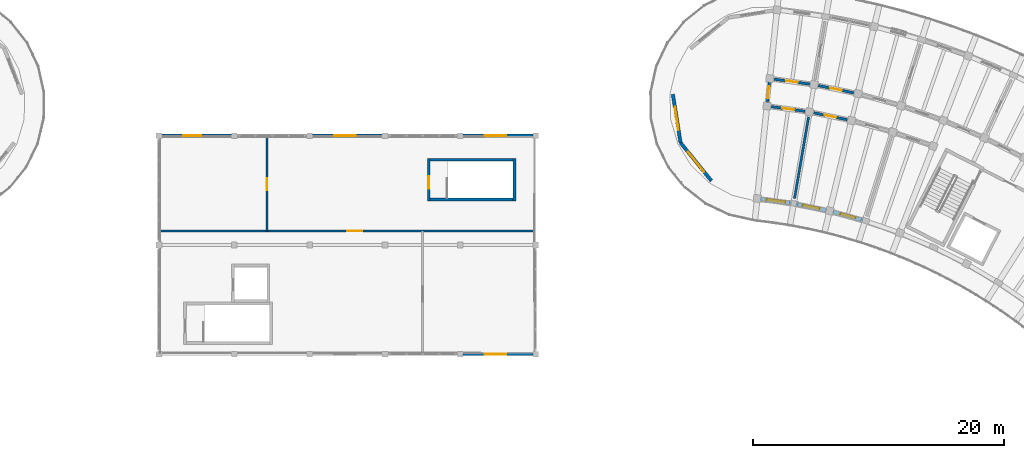
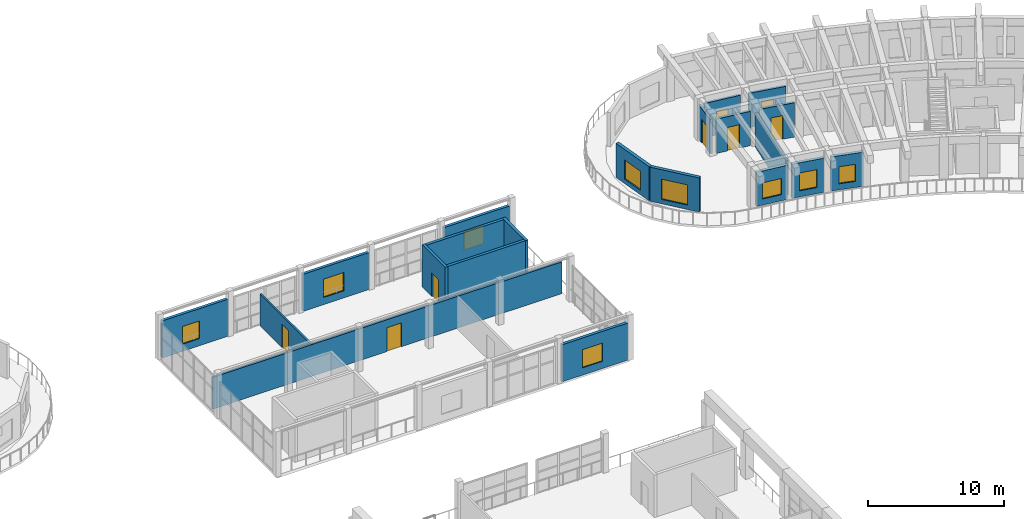
# One storey, part 92 of 128: 21 walls, 9 windows, 8 doors, 17 openings.
"""IFC4 building model written with IfcOpenShell, lengths in metres."""

from ifc_helpers import new_model, si_unit, direction, frame, frame_2d, origin, place, context, subcontext, project, spatial, rectangle, extrude, material, layer, layer_set, type_object, element, fill, save


model = new_model("IFC4")

# Units and contexts
model_context = context("Model", 3, precision=1e-05, world=origin(), true_north=direction((0.0, 1.0)))
body_context = subcontext(model_context, "Body", "Model", "MODEL_VIEW")
ifc_project = project(units=[si_unit("LENGTHUNIT", "METRE"), si_unit("AREAUNIT", "SQUARE_METRE"), si_unit("VOLUMEUNIT", "CUBIC_METRE"), si_unit("PLANEANGLEUNIT", "RADIAN"), si_unit("MASSUNIT", "GRAM", prefix="KILO")], contexts=[model_context])

# Site, building, storey
site_placement = place(None, origin())
site = spatial("IfcSite", under=ifc_project, at=site_placement, CompositionType="ELEMENT")
building_placement = place(site_placement, origin())
building = spatial("IfcBuilding", under=site, at=building_placement, Name="Tanwirah Colonnade Gardens", CompositionType="ELEMENT")
storey_placement = place(building_placement, frame((0.0, 0.0, 4.760009765625)))
storey = spatial("IfcBuildingStorey", under=building, at=storey_placement, Name="L01", CompositionType="ELEMENT", Elevation=4.760009765625)

# Wall, opening, window
ifc_material_1 = material(Name="Limestone architectural precast concrete C40/50", Category="masonry")
ifc_layer_1 = layer(ifc_material_1, 0.239990234375)
ifc_layer_set_1 = layer_set([ifc_layer_1], Name="Limestone architectural precast concrete C40/50")
wall_type_1 = type_object("IfcWallType", Name="EW-PC240", PredefinedType="SOLIDWALL", material=ifc_layer_set_1)
wall_1_placement = place(storey_placement, frame((102.195068359375, 92.0, 0.0), z_axis=(0.0, 0.0, 1.0), x_axis=(1.0, 0.0, 0.0)))
wall_1 = element("IfcWall", 1, at=wall_1_placement, inside=storey, type_object=wall_type_1, Name="Nursery L01 S Wall 4", PredefinedType="SOLIDWALL", context=body_context, shape_type="SweptSolid", body=[
    extrude(rectangle(XDim=5.60986328125, YDim=0.239990234375, at=frame_2d((2.804931640625, 0.0))), origin(), (0.0, 0.0, 1.0), 3.340087890625),
])
opening_1_placement = place(wall_1_placement, frame((1.75, 0.0, 0.64990234375)))
opening_1 = element("IfcOpeningElement", 2, at=opening_1_placement, cuts=wall_1, Name="Opening WIN-NUR2", PredefinedType="OPENING", context=body_context, shape_type="SweptSolid", body=[
    extrude(rectangle(XDim=1.719970703125, YDim=1.639892578125, at=frame_2d((0.85986328125, 0.81982421875))), frame((0.0, 0.1298828125, 0.0), z_axis=(0.0, -1.0, 0.0), x_axis=(1.0, 0.0, 0.0)), (0.0, 0.0, 1.0), 0.260009765625),
])
ifc_material_2 = material(Name="Thermally broken bronze aluminium and solar low-E double glazing", Category="aluminium")
window_type_1 = type_object("IfcWindowType", Name="WIN-NUR2", PartitioningType="DOUBLE_PANEL_VERTICAL", PredefinedType="WINDOW", material=ifc_material_2)
window_1_placement = place(opening_1_placement, origin())
window_1 = element("IfcWindow", 3, at=window_1_placement, inside=storey, type_object=window_type_1, Name="Nursery Window S-4", OverallHeight=1.639892578125, OverallWidth=1.719970703125, PartitioningType="SINGLE_PANEL", PredefinedType="WINDOW", context=body_context, shape_type="SweptSolid", body=[
    extrude(rectangle(XDim=1.719970703125, YDim=1.639892578125, at=frame_2d((0.85986328125, 0.81982421875))), frame((0.0, 0.030029296875, 0.0), z_axis=(0.0, -1.0, 0.0), x_axis=(1.0, 0.0, 0.0)), (0.0, 0.0, 1.0), 0.06005859375),
])
fill(opening_1, window_1)

wall_2_placement = place(storey_placement, frame((78.195068359375, 109.39990234375, 0.0), z_axis=(0.0, 0.0, 1.0), x_axis=(1.0, 0.0, 0.0)))
wall_2 = element("IfcWall", 4, at=wall_2_placement, inside=storey, type_object=wall_type_1, Name="Nursery L01 N Wall 0", PredefinedType="SOLIDWALL", context=body_context, shape_type="SweptSolid", body=[
    extrude(rectangle(XDim=5.60986328125, YDim=0.239990234375, at=frame_2d((2.804931640625, 0.0))), origin(), (0.0, 0.0, 1.0), 3.340087890625),
])
opening_2_placement = place(wall_2_placement, frame((1.75, 0.0, 0.64990234375)))
opening_2 = element("IfcOpeningElement", 5, at=opening_2_placement, cuts=wall_2, Name="Opening WIN-NUR1", PredefinedType="OPENING", context=body_context, shape_type="SweptSolid", body=[
    extrude(rectangle(XDim=1.419921875, YDim=1.580078125, at=frame_2d((0.7099609375, 0.7900390625))), frame((0.0, 0.1298828125, 0.0), z_axis=(0.0, -1.0, 0.0), x_axis=(1.0, 0.0, 0.0)), (0.0, 0.0, 1.0), 0.260009765625),
])
window_type_2 = type_object("IfcWindowType", Name="WIN-NUR1", PartitioningType="DOUBLE_PANEL_VERTICAL", PredefinedType="WINDOW", material=ifc_material_2)
window_2_placement = place(opening_2_placement, origin())
window_2 = element("IfcWindow", 6, at=window_2_placement, inside=storey, type_object=window_type_2, Name="Nursery Window N-0", OverallHeight=1.580078125, OverallWidth=1.419921875, PartitioningType="SINGLE_PANEL", PredefinedType="WINDOW", context=body_context, shape_type="SweptSolid", body=[
    extrude(rectangle(XDim=1.419921875, YDim=1.580078125, at=frame_2d((0.7099609375, 0.7900390625))), frame((0.0, 0.030029296875, 0.0), z_axis=(0.0, -1.0, 0.0), x_axis=(1.0, 0.0, 0.0)), (0.0, 0.0, 1.0), 0.06005859375),
])
fill(opening_2, window_2)

wall_3_placement = place(storey_placement, frame((90.195068359375, 109.39990234375, 0.0), z_axis=(0.0, 0.0, 1.0), x_axis=(1.0, 0.0, 0.0)))
wall_3 = element("IfcWall", 7, at=wall_3_placement, inside=storey, type_object=wall_type_1, Name="Nursery L01 N Wall 2", PredefinedType="SOLIDWALL", context=body_context, shape_type="SweptSolid", body=[
    extrude(rectangle(XDim=5.60986328125, YDim=0.239990234375, at=frame_2d((2.804931640625, 0.0))), origin(), (0.0, 0.0, 1.0), 3.340087890625),
])
opening_3_placement = place(wall_3_placement, frame((1.75, 0.0, 0.64990234375)))
opening_3 = element("IfcOpeningElement", 8, at=opening_3_placement, cuts=wall_3, Name="Opening WIN-NUR2", PredefinedType="OPENING", context=body_context, shape_type="SweptSolid", body=[
    extrude(rectangle(XDim=1.719970703125, YDim=1.639892578125, at=frame_2d((0.85986328125, 0.81982421875))), frame((0.0, 0.1298828125, 0.0), z_axis=(0.0, -1.0, 0.0), x_axis=(1.0, 0.0, 0.0)), (0.0, 0.0, 1.0), 0.260009765625),
])
window_3_placement = place(opening_3_placement, origin())
window_3 = element("IfcWindow", 9, at=window_3_placement, inside=storey, type_object=window_type_1, Name="Nursery Window N-2", OverallHeight=1.639892578125, OverallWidth=1.719970703125, PartitioningType="SINGLE_PANEL", PredefinedType="WINDOW", context=body_context, shape_type="SweptSolid", body=[
    extrude(rectangle(XDim=1.719970703125, YDim=1.639892578125, at=frame_2d((0.85986328125, 0.81982421875))), frame((0.0, 0.030029296875, 0.0), z_axis=(0.0, -1.0, 0.0), x_axis=(1.0, 0.0, 0.0)), (0.0, 0.0, 1.0), 0.06005859375),
])
fill(opening_3, window_3)

wall_4_placement = place(storey_placement, frame((102.195068359375, 109.39990234375, 0.0), z_axis=(0.0, 0.0, 1.0), x_axis=(1.0, 0.0, 0.0)))
wall_4 = element("IfcWall", 10, at=wall_4_placement, inside=storey, type_object=wall_type_1, Name="Nursery L01 N Wall 4", PredefinedType="SOLIDWALL", context=body_context, shape_type="SweptSolid", body=[
    extrude(rectangle(XDim=5.60986328125, YDim=0.239990234375, at=frame_2d((2.804931640625, 0.0))), origin(), (0.0, 0.0, 1.0), 3.340087890625),
])
opening_4_placement = place(wall_4_placement, frame((1.75, 0.0, 0.64990234375)))
opening_4 = element("IfcOpeningElement", 11, at=opening_4_placement, cuts=wall_4, Name="Opening WIN-NUR2", PredefinedType="OPENING", context=body_context, shape_type="SweptSolid", body=[
    extrude(rectangle(XDim=1.719970703125, YDim=1.639892578125, at=frame_2d((0.85986328125, 0.81982421875))), frame((0.0, 0.1298828125, 0.0), z_axis=(0.0, -1.0, 0.0), x_axis=(1.0, 0.0, 0.0)), (0.0, 0.0, 1.0), 0.260009765625),
])
window_4_placement = place(opening_4_placement, origin())
window_4 = element("IfcWindow", 12, at=window_4_placement, inside=storey, type_object=window_type_1, Name="Nursery Window N-4", OverallHeight=1.639892578125, OverallWidth=1.719970703125, PartitioningType="SINGLE_PANEL", PredefinedType="WINDOW", context=body_context, shape_type="SweptSolid", body=[
    extrude(rectangle(XDim=1.719970703125, YDim=1.639892578125, at=frame_2d((0.85986328125, 0.81982421875))), frame((0.0, 0.030029296875, 0.0), z_axis=(0.0, -1.0, 0.0), x_axis=(1.0, 0.0, 0.0)), (0.0, 0.0, 1.0), 0.06005859375),
])
fill(opening_4, window_4)

ifc_layer_2 = layer(ifc_material_1, 0.27001953125)
ifc_layer_set_2 = layer_set([ifc_layer_2], Name="Limestone architectural precast concrete C40/50")
wall_type_2 = type_object("IfcWallType", Name="EW-PC270", PredefinedType="SOLIDWALL", material=ifc_layer_set_2)
wall_5_placement = place(storey_placement, frame((134.069580078125, 102.679443359375, 0.0), z_axis=(0.0, 0.0, 1.0), x_axis=(-0.963904687378, 0.266247542056, 0.0)))
wall_5 = element("IfcWall", 13, at=wall_5_placement, inside=storey, type_object=wall_type_2, Name="Block B L01 IN Precast Facade Wall 15", PredefinedType="SOLIDWALL", context=body_context, shape_type="SweptSolid", body=[
    extrude(rectangle(XDim=2.48046875, YDim=0.27001953125, at=frame_2d((1.240234375, 0.0))), origin(), (0.0, 0.0, 1.0), 3.074951171875),
])
opening_5_placement = place(wall_5_placement, frame((0.6201171875, 0.0, 0.550048828125)))
opening_5 = element("IfcOpeningElement", 14, at=opening_5_placement, cuts=wall_5, Name="Opening WIN-U03", PredefinedType="OPENING", context=body_context, shape_type="SweptSolid", body=[
    extrude(rectangle(XDim=1.239990234375, YDim=1.534912109375, at=frame_2d((0.6201171875, 0.767578125))), frame((0.0, 0.14501953125, 0.0), z_axis=(0.0, -1.0, 0.0), x_axis=(1.0, 0.0, 0.0)), (0.0, 0.0, 1.0), 0.2900390625),
])
window_type_3 = type_object("IfcWindowType", Name="WIN-U03", PartitioningType="DOUBLE_PANEL_VERTICAL", PredefinedType="WINDOW", material=ifc_material_2)
window_5_placement = place(opening_5_placement, origin())
window_5 = element("IfcWindow", 15, at=window_5_placement, inside=storey, type_object=window_type_3, Name="Facade window B-L01-IN-15", OverallHeight=1.534912109375, OverallWidth=1.239990234375, PartitioningType="SINGLE_PANEL", PredefinedType="WINDOW", context=body_context, shape_type="SweptSolid", body=[
    extrude(rectangle(XDim=1.239990234375, YDim=1.534912109375, at=frame_2d((0.6201171875, 0.767578125))), frame((0.0, 0.030029296875, 0.0), z_axis=(0.0, -1.0, 0.0), x_axis=(1.0, 0.0, 0.0)), (0.0, 0.0, 1.0), 0.06005859375),
])
fill(opening_5, window_5)

wall_6_placement = place(storey_placement, frame((131.154052734375, 103.46630859375, 0.0), z_axis=(0.0, 0.0, 1.0), x_axis=(-0.979327037211, 0.202283351238, 0.0)))
wall_6 = element("IfcWall", 16, at=wall_6_placement, inside=storey, type_object=wall_type_2, Name="Block B L01 IN Precast Facade Wall 16", PredefinedType="SOLIDWALL", context=body_context, shape_type="SweptSolid", body=[
    extrude(rectangle(XDim=2.480224609375, YDim=0.27001953125, at=frame_2d((1.240234375, 0.0))), origin(), (0.0, 0.0, 1.0), 3.074951171875),
])
opening_6_placement = place(wall_6_placement, frame((0.56005859375, 0.0, 0.550048828125)))
opening_6 = element("IfcOpeningElement", 17, at=opening_6_placement, cuts=wall_6, Name="Opening WIN-U06", PredefinedType="OPENING", context=body_context, shape_type="SweptSolid", body=[
    extrude(rectangle(XDim=1.360107421875, YDim=1.610107421875, at=frame_2d((0.68017578125, 0.80517578125))), frame((0.0, 0.14501953125, 0.0), z_axis=(0.0, -1.0, 0.0), x_axis=(1.0, 0.0, 0.0)), (0.0, 0.0, 1.0), 0.2900390625),
])
window_type_4 = type_object("IfcWindowType", Name="WIN-U06", PartitioningType="DOUBLE_PANEL_VERTICAL", PredefinedType="WINDOW", material=ifc_material_2)
window_6_placement = place(opening_6_placement, origin())
window_6 = element("IfcWindow", 18, at=window_6_placement, inside=storey, type_object=window_type_4, Name="Facade window B-L01-IN-16", OverallHeight=1.610107421875, OverallWidth=1.360107421875, PartitioningType="SINGLE_PANEL", PredefinedType="WINDOW", context=body_context, shape_type="SweptSolid", body=[
    extrude(rectangle(XDim=1.360107421875, YDim=1.610107421875, at=frame_2d((0.68017578125, 0.80517578125))), frame((0.0, 0.030029296875, 0.0), z_axis=(0.0, -1.0, 0.0), x_axis=(1.0, 0.0, 0.0)), (0.0, 0.0, 1.0), 0.06005859375),
])
fill(opening_6, window_6)

wall_7_placement = place(storey_placement, frame((128.37060546875, 104.029052734375, 0.0), z_axis=(0.0, 0.0, 1.0), x_axis=(-0.990541017993, 0.137216951116, 0.0)))
wall_7 = element("IfcWall", 19, at=wall_7_placement, inside=storey, type_object=wall_type_2, Name="Block B L01 IN Precast Facade Wall 17", PredefinedType="SOLIDWALL", context=body_context, shape_type="SweptSolid", body=[
    extrude(rectangle(XDim=2.480224609375, YDim=0.27001953125, at=frame_2d((1.240234375, 0.0))), origin(), (0.0, 0.0, 1.0), 3.074951171875),
])
opening_7_placement = place(wall_7_placement, frame((0.5, 0.0, 0.550048828125)))
opening_7 = element("IfcOpeningElement", 20, at=opening_7_placement, cuts=wall_7, Name="Opening WIN-U09", PredefinedType="OPENING", context=body_context, shape_type="SweptSolid", body=[
    extrude(rectangle(XDim=1.47998046875, YDim=1.4599609375, at=frame_2d((0.739990234375, 0.72998046875))), frame((0.0, 0.14501953125, 0.0), z_axis=(0.0, -1.0, 0.0), x_axis=(1.0, 0.0, 0.0)), (0.0, 0.0, 1.0), 0.2900390625),
])
window_type_5 = type_object("IfcWindowType", Name="WIN-U09", PartitioningType="DOUBLE_PANEL_VERTICAL", PredefinedType="WINDOW", material=ifc_material_2)
window_7_placement = place(opening_7_placement, origin())
window_7 = element("IfcWindow", 21, at=window_7_placement, inside=storey, type_object=window_type_5, Name="Facade window B-L01-IN-17", OverallHeight=1.4599609375, OverallWidth=1.47998046875, PartitioningType="SINGLE_PANEL", PredefinedType="WINDOW", context=body_context, shape_type="SweptSolid", body=[
    extrude(rectangle(XDim=1.47998046875, YDim=1.4599609375, at=frame_2d((0.739990234375, 0.72998046875))), frame((0.0, 0.030029296875, 0.0), z_axis=(0.0, -1.0, 0.0), x_axis=(1.0, 0.0, 0.0)), (0.0, 0.0, 1.0), 0.06005859375),
])
fill(opening_7, window_7)

wall_8_placement = place(storey_placement, frame((121.997802734375, 105.80712890625, 0.0), z_axis=(0.0, 0.0, 1.0), x_axis=(-0.629331205321, 0.777137204109, 0.0)))
wall_8 = element("IfcWall", 22, at=wall_8_placement, inside=storey, type_object=wall_type_2, Name="Block B L01 END Rounded End Wall 1", PredefinedType="SOLIDWALL", context=body_context, shape_type="SweptSolid", body=[
    extrude(rectangle(XDim=3.907958984375, YDim=0.27001953125, at=frame_2d((1.9541015625, 0.0))), origin(), (0.0, 0.0, 1.0), 3.074951171875),
])
opening_8_placement = place(wall_8_placement, frame((0.92919921875, 0.0, 0.39990234375)))
opening_8 = element("IfcOpeningElement", 23, at=opening_8_placement, cuts=wall_8, Name="Opening WIN-END3", PredefinedType="OPENING", context=body_context, shape_type="SweptSolid", body=[
    extrude(rectangle(XDim=2.050048828125, YDim=1.820068359375, at=frame_2d((1.02490234375, 0.91015625))), frame((0.0, 0.14501953125, 0.0), z_axis=(0.0, -1.0, 0.0), x_axis=(1.0, 0.0, 0.0)), (0.0, 0.0, 1.0), 0.2900390625),
])
window_type_6 = type_object("IfcWindowType", Name="WIN-END3", PartitioningType="TRIPLE_PANEL_VERTICAL", PredefinedType="WINDOW", material=ifc_material_2)
window_8_placement = place(opening_8_placement, origin())
window_8 = element("IfcWindow", 24, at=window_8_placement, inside=storey, type_object=window_type_6, Name="Rounded corner window B-L01-END-1", OverallHeight=1.820068359375, OverallWidth=2.050048828125, PartitioningType="SINGLE_PANEL", PredefinedType="WINDOW", context=body_context, shape_type="SweptSolid", body=[
    extrude(rectangle(XDim=2.050048828125, YDim=1.820068359375, at=frame_2d((1.02490234375, 0.91015625))), frame((0.0, 0.030029296875, 0.0), z_axis=(0.0, -1.0, 0.0), x_axis=(1.0, 0.0, 0.0)), (0.0, 0.0, 1.0), 0.06005859375),
])
fill(opening_8, window_8)

wall_9_placement = place(storey_placement, frame((119.538330078125, 108.84423828125, 0.0), z_axis=(0.0, 0.0, 1.0), x_axis=(-0.15648221771, 0.987680776132, 0.0)))
wall_9 = element("IfcWall", 25, at=wall_9_placement, inside=storey, type_object=wall_type_2, Name="Block B L01 END Rounded End Wall 2", PredefinedType="SOLIDWALL", context=body_context, shape_type="SweptSolid", body=[
    extrude(rectangle(XDim=3.908203125, YDim=0.27001953125, at=frame_2d((1.9541015625, 0.0))), origin(), (0.0, 0.0, 1.0), 3.074951171875),
])
opening_9_placement = place(wall_9_placement, frame((1.029052734375, 0.0, 0.39990234375)))
opening_9 = element("IfcOpeningElement", 26, at=opening_9_placement, cuts=wall_9, Name="Opening WIN-END1", PredefinedType="OPENING", context=body_context, shape_type="SweptSolid", body=[
    extrude(rectangle(XDim=1.85009765625, YDim=1.719970703125, at=frame_2d((0.925048828125, 0.85986328125))), frame((0.0, 0.14501953125, 0.0), z_axis=(0.0, -1.0, 0.0), x_axis=(1.0, 0.0, 0.0)), (0.0, 0.0, 1.0), 0.2900390625),
])
window_type_7 = type_object("IfcWindowType", Name="WIN-END1", PartitioningType="TRIPLE_PANEL_VERTICAL", PredefinedType="WINDOW", material=ifc_material_2)
window_9_placement = place(opening_9_placement, origin())
window_9 = element("IfcWindow", 27, at=window_9_placement, inside=storey, type_object=window_type_7, Name="Rounded corner window B-L01-END-2", OverallHeight=1.719970703125, OverallWidth=1.85009765625, PartitioningType="SINGLE_PANEL", PredefinedType="WINDOW", context=body_context, shape_type="SweptSolid", body=[
    extrude(rectangle(XDim=1.85009765625, YDim=1.719970703125, at=frame_2d((0.925048828125, 0.85986328125))), frame((0.0, 0.030029296875, 0.0), z_axis=(0.0, -1.0, 0.0), x_axis=(1.0, 0.0, 0.0)), (0.0, 0.0, 1.0), 0.06005859375),
])
fill(opening_9, window_9)

# Wall, opening, door
ifc_material_3 = material(Name="Precast concrete C40/50", Category="concrete")
ifc_layer_3 = layer(ifc_material_3, 0.205078125)
ifc_layer_set_3 = layer_set([ifc_layer_3], Name="Precast concrete C40/50")
wall_type_3 = type_object("IfcWallType", Name="IW-CORR205", PredefinedType="PARTITIONING", material=ifc_layer_set_3)
wall_10_placement = place(storey_placement, frame((133.325927734375, 112.815185546875, 0.0), z_axis=(0.0, 0.0, 1.0), x_axis=(-0.979348418612, 0.202179808492, 0.0)))
wall_10 = element("IfcWall", 28, at=wall_10_placement, inside=storey, type_object=wall_type_3, Name="Block B L01 OUT Corridor Wall 16", PredefinedType="PARTITIONING", context=body_context, shape_type="SweptSolid", body=[
    extrude(rectangle(XDim=2.863037109375, YDim=0.205078125, at=frame_2d((1.431640625, 0.0))), origin(), (0.0, 0.0, 1.0), 3.090087890625),
])
opening_10_placement = place(wall_10_placement, frame((0.95654296875, 0.0, 0.0)))
opening_10 = element("IfcOpeningElement", 29, at=opening_10_placement, cuts=wall_10, Name="Opening L01-AD869", PredefinedType="OPENING", context=body_context, shape_type="SweptSolid", body=[
    extrude(rectangle(XDim=0.949951171875, YDim=2.1298828125, at=frame_2d((0.47509765625, 1.06494140625))), frame((0.0, 0.112548828125, 0.0), z_axis=(0.0, -1.0, 0.0), x_axis=(1.0, 0.0, 0.0)), (0.0, 0.0, 1.0), 0.22509765625),
])
ifc_material_4 = material(Name="Solid oak fire-resisting apartment entrance door")
door_type_1 = type_object("IfcDoorType", Name="ID-FLT095", OperationType="NOTDEFINED", PredefinedType="DOOR", material=ifc_material_4)
door_1_placement = place(opening_10_placement, origin())
door_1 = element("IfcDoor", 30, at=door_1_placement, inside=storey, type_object=door_type_1, Name="Apartment corridor door L01-AD869", OperationType="SINGLE_SWING_RIGHT", OverallHeight=2.1298828125, OverallWidth=0.949951171875, PredefinedType="DOOR", context=body_context, shape_type="SweptSolid", body=[
    extrude(rectangle(XDim=0.949951171875, YDim=2.1298828125, at=frame_2d((0.47509765625, 1.06494140625))), frame((0.0, 0.02490234375, 0.0), z_axis=(0.0, -1.0, 0.0), x_axis=(1.0, 0.0, 0.0)), (0.0, 0.0, 1.0), 0.050048828125),
])
fill(opening_10, door_1)

wall_11_placement = place(storey_placement, frame((132.810302734375, 110.676513671875, 0.0), z_axis=(0.0, 0.0, 1.0), x_axis=(-0.979349423541, 0.202174940608, 0.0)))
wall_11 = element("IfcWall", 31, at=wall_11_placement, inside=storey, type_object=wall_type_3, Name="Block B L01 IN Corridor Wall 16", PredefinedType="PARTITIONING", context=body_context, shape_type="SweptSolid", body=[
    extrude(rectangle(XDim=2.71826171875, YDim=0.205078125, at=frame_2d((1.359130859375, 0.0))), origin(), (0.0, 0.0, 1.0), 3.090087890625),
])
opening_11_placement = place(wall_11_placement, frame((0.884033203125, 0.0, 0.0)))
opening_11 = element("IfcOpeningElement", 32, at=opening_11_placement, cuts=wall_11, Name="Opening L01-AD870", PredefinedType="OPENING", context=body_context, shape_type="SweptSolid", body=[
    extrude(rectangle(XDim=0.949951171875, YDim=2.1298828125, at=frame_2d((0.47509765625, 1.06494140625))), frame((0.0, 0.112548828125, 0.0), z_axis=(0.0, -1.0, 0.0), x_axis=(1.0, 0.0, 0.0)), (0.0, 0.0, 1.0), 0.22509765625),
])
door_2_placement = place(opening_11_placement, origin())
door_2 = element("IfcDoor", 33, at=door_2_placement, inside=storey, type_object=door_type_1, Name="Apartment corridor door L01-AD870", OperationType="SINGLE_SWING_LEFT", OverallHeight=2.1298828125, OverallWidth=0.949951171875, PredefinedType="DOOR", context=body_context, shape_type="SweptSolid", body=[
    extrude(rectangle(XDim=0.949951171875, YDim=2.1298828125, at=frame_2d((0.47509765625, 1.06494140625))), frame((0.0, 0.02490234375, 0.0), z_axis=(0.0, -1.0, 0.0), x_axis=(1.0, 0.0, 0.0)), (0.0, 0.0, 1.0), 0.050048828125),
])
fill(opening_11, door_2)

wall_12_placement = place(storey_placement, frame((129.83251953125, 113.512939453125, 0.0), z_axis=(0.0, 0.0, 1.0), x_axis=(-0.990544162976, 0.137194246211, 0.0)))
wall_12 = element("IfcWall", 34, at=wall_12_placement, inside=storey, type_object=wall_type_3, Name="Block B L01 OUT Corridor Wall 17", PredefinedType="PARTITIONING", context=body_context, shape_type="SweptSolid", body=[
    extrude(rectangle(XDim=2.86328125, YDim=0.205078125, at=frame_2d((1.431640625, 0.0))), origin(), (0.0, 0.0, 1.0), 3.090087890625),
])
opening_12_placement = place(wall_12_placement, frame((0.966552734375, 0.0, 0.0)))
opening_12 = element("IfcOpeningElement", 35, at=opening_12_placement, cuts=wall_12, Name="Opening L01-AD872", PredefinedType="OPENING", context=body_context, shape_type="SweptSolid", body=[
    extrude(rectangle(XDim=0.929931640625, YDim=2.1201171875, at=frame_2d((0.46484375, 1.06005859375))), frame((0.0, 0.112548828125, 0.0), z_axis=(0.0, -1.0, 0.0), x_axis=(1.0, 0.0, 0.0)), (0.0, 0.0, 1.0), 0.22509765625),
])
door_type_2 = type_object("IfcDoorType", Name="ID-FLT093", OperationType="NOTDEFINED", PredefinedType="DOOR", material=ifc_material_4)
door_3_placement = place(opening_12_placement, origin())
door_3 = element("IfcDoor", 36, at=door_3_placement, inside=storey, type_object=door_type_2, Name="Apartment corridor door L01-AD872", OperationType="SINGLE_SWING_LEFT", OverallHeight=2.1201171875, OverallWidth=0.929931640625, PredefinedType="DOOR", context=body_context, shape_type="SweptSolid", body=[
    extrude(rectangle(XDim=0.929931640625, YDim=2.1201171875, at=frame_2d((0.46484375, 1.06005859375))), frame((0.0, 0.02490234375, 0.0), z_axis=(0.0, -1.0, 0.0), x_axis=(1.0, 0.0, 0.0)), (0.0, 0.0, 1.0), 0.050048828125),
])
fill(opening_12, door_3)

wall_13_placement = place(storey_placement, frame((129.458740234375, 111.344970703125, 0.0), z_axis=(0.0, 0.0, 1.0), x_axis=(-0.990535404475, 0.137257467855, 0.0)))
wall_13 = element("IfcWall", 37, at=wall_13_placement, inside=storey, type_object=wall_type_3, Name="Block B L01 IN Corridor Wall 17", PredefinedType="PARTITIONING", context=body_context, shape_type="SweptSolid", body=[
    extrude(rectangle(XDim=2.7177734375, YDim=0.205078125, at=frame_2d((1.35888671875, 0.0))), origin(), (0.0, 0.0, 1.0), 3.090087890625),
])
opening_13_placement = place(wall_13_placement, frame((0.89404296875, 0.0, 0.0)))
opening_13 = element("IfcOpeningElement", 38, at=opening_13_placement, cuts=wall_13, Name="Opening L01-AD873", PredefinedType="OPENING", context=body_context, shape_type="SweptSolid", body=[
    extrude(rectangle(XDim=0.929931640625, YDim=2.1201171875, at=frame_2d((0.46484375, 1.06005859375))), frame((0.0, 0.112548828125, 0.0), z_axis=(0.0, -1.0, 0.0), x_axis=(1.0, 0.0, 0.0)), (0.0, 0.0, 1.0), 0.22509765625),
])
door_4_placement = place(opening_13_placement, origin())
door_4 = element("IfcDoor", 39, at=door_4_placement, inside=storey, type_object=door_type_2, Name="Apartment corridor door L01-AD873", OperationType="SINGLE_SWING_RIGHT", OverallHeight=2.1201171875, OverallWidth=0.929931640625, PredefinedType="DOOR", context=body_context, shape_type="SweptSolid", body=[
    extrude(rectangle(XDim=0.929931640625, YDim=2.1201171875, at=frame_2d((0.46484375, 1.06005859375))), frame((0.0, 0.02490234375, 0.0), z_axis=(0.0, -1.0, 0.0), x_axis=(1.0, 0.0, 0.0)), (0.0, 0.0, 1.0), 0.050048828125),
])
fill(opening_13, door_4)

wall_14_placement = place(storey_placement, frame((126.425048828125, 111.815673828125, 0.0), z_axis=(0.0, 0.0, 1.0), x_axis=(0.104509292252, 0.994523910136, 0.0)))
wall_14 = element("IfcWall", 40, at=wall_14_placement, inside=storey, type_object=wall_type_3, Name="Block B L01 CE Corner Suite Corridor Wall", PredefinedType="PARTITIONING", context=body_context, shape_type="SweptSolid", body=[
    extrude(rectangle(XDim=2.10009765625, YDim=0.205078125, at=frame_2d((1.050048828125, 0.0))), origin(), (0.0, 0.0, 1.0), 3.090087890625),
])
opening_14_placement = place(wall_14_placement, frame((0.570068359375, 0.0, 0.0)))
opening_14 = element("IfcOpeningElement", 41, at=opening_14_placement, cuts=wall_14, Name="Opening L01-CD875", PredefinedType="OPENING", context=body_context, shape_type="SweptSolid", body=[
    extrude(rectangle(XDim=0.949951171875, YDim=2.1298828125, at=frame_2d((0.47509765625, 1.06494140625))), frame((0.0, 0.112548828125, 0.0), z_axis=(0.0, -1.0, 0.0), x_axis=(1.0, 0.0, 0.0)), (0.0, 0.0, 1.0), 0.22509765625),
])
door_5_placement = place(opening_14_placement, origin())
door_5 = element("IfcDoor", 42, at=door_5_placement, inside=storey, type_object=door_type_1, Name="Corner suite entrance door L01-CD875", OperationType="SINGLE_SWING_RIGHT", OverallHeight=2.1298828125, OverallWidth=0.949951171875, PredefinedType="DOOR", context=body_context, shape_type="SweptSolid", body=[
    extrude(rectangle(XDim=0.949951171875, YDim=2.1298828125, at=frame_2d((0.47509765625, 1.06494140625))), frame((0.0, 0.02490234375, 0.0), z_axis=(0.0, -1.0, 0.0), x_axis=(1.0, 0.0, 0.0)), (0.0, 0.0, 1.0), 0.050048828125),
])
fill(opening_14, door_5)

# Wall
ifc_layer_4 = layer(ifc_material_3, 0.18505859375)
ifc_layer_set_4 = layer_set([ifc_layer_4], Name="Precast concrete C40/50")
wall_type_4 = type_object("IfcWallType", Name="IW-DEM185", PredefinedType="PARTITIONING", material=ifc_layer_set_4)
wall_15_placement = place(storey_placement, frame((128.61669921875, 104.3984375, 0.0), z_axis=(0.0, 0.0, 1.0), x_axis=(0.169825160084, 0.985474208187, 0.0)))
element("IfcWall", 43, at=wall_15_placement, inside=storey, type_object=wall_type_4, Name="Block B L01 Inner Radial Partition 16", PredefinedType="PARTITIONING", context=body_context, shape_type="SweptSolid", body=[
    extrude(rectangle(XDim=6.60009765625, YDim=0.18505859375, at=frame_2d((3.300048828125, 0.0))), origin(), (0.0, 0.0, 1.0), 3.090087890625),
])

# Wall, opening, door
ifc_material_5 = material(Name="Fire-rated acoustic blockwork partition", Category="masonry")
ifc_layer_5 = layer(ifc_material_5, 0.159912109375)
ifc_layer_set_5 = layer_set([ifc_layer_5], Name="Fire-rated acoustic blockwork partition")
wall_type_5 = type_object("IfcWallType", Name="IW-PAV160", PredefinedType="PARTITIONING", material=ifc_layer_set_5)
wall_16_placement = place(storey_placement, frame((78.1201171875, 101.800048828125, 0.0), z_axis=(0.0, 0.0, 1.0), x_axis=(1.0, 0.0, 0.0)))
wall_16 = element("IfcWall", 44, at=wall_16_placement, inside=storey, type_object=wall_type_5, Name="Interior Partition IW-NUR-SPINE1", PredefinedType="PARTITIONING", context=body_context, shape_type="SweptSolid", body=[
    extrude(rectangle(XDim=29.759765625, YDim=0.159912109375, at=frame_2d((14.8798828125, 0.0))), origin(), (0.0, 0.0, 1.0), 2.860107421875),
])
opening_15_placement = place(wall_16_placement, frame((14.875244140625, 0.0, 0.0)))
opening_15 = element("IfcOpeningElement", 45, at=opening_15_placement, cuts=wall_16, Name="Opening L01-VD1964", PredefinedType="OPENING", context=body_context, shape_type="SweptSolid", body=[
    extrude(rectangle(XDim=1.199951171875, YDim=2.14990234375, at=frame_2d((0.60009765625, 1.074951171875))), frame((0.0, 0.08984375, 0.0), z_axis=(0.0, -1.0, 0.0), x_axis=(1.0, 0.0, 0.0)), (0.0, 0.0, 1.0), 0.179931640625),
])
ifc_material_6 = material(Name="Acoustic classroom vision-panel door")
door_type_3 = type_object("IfcDoorType", Name="ID-NUR12", OperationType="NOTDEFINED", PredefinedType="DOOR", material=ifc_material_6)
door_6_placement = place(opening_15_placement, origin())
door_6 = element("IfcDoor", 46, at=door_6_placement, inside=storey, type_object=door_type_3, Name="Civic interior door L01-VD1964", OperationType="SINGLE_SWING_RIGHT", OverallHeight=2.14990234375, OverallWidth=1.199951171875, PredefinedType="DOOR", context=body_context, shape_type="SweptSolid", body=[
    extrude(rectangle(XDim=1.199951171875, YDim=2.14990234375, at=frame_2d((0.60009765625, 1.074951171875))), frame((0.0, 0.02490234375, 0.0), z_axis=(0.0, -1.0, 0.0), x_axis=(1.0, 0.0, 0.0)), (0.0, 0.0, 1.0), 0.050048828125),
])
fill(opening_15, door_6)

ifc_material_7 = material(Name="Water-resistant acoustic plumbing partition")
ifc_layer_6 = layer(ifc_material_7, 0.139892578125)
ifc_layer_set_6 = layer_set([ifc_layer_6], Name="Water-resistant acoustic plumbing partition")
wall_type_6 = type_object("IfcWallType", Name="IW-WET140", PredefinedType="PLUMBINGWALL", material=ifc_layer_set_6)
wall_17_placement = place(storey_placement, frame((86.60009765625, 101.800048828125, 0.0), z_axis=(0.0, 0.0, 1.0), x_axis=(0.0, 1.0, 0.0)))
wall_17 = element("IfcWall", 47, at=wall_17_placement, inside=storey, type_object=wall_type_6, Name="Interior Partition IW-NUR-WC1", PredefinedType="PLUMBINGWALL", context=body_context, shape_type="SweptSolid", body=[
    extrude(rectangle(XDim=7.47998046875, YDim=0.139892578125, at=frame_2d((3.739990234375, 0.0))), origin(), (0.0, 0.0, 1.0), 2.860107421875),
])
opening_16_placement = place(wall_17_placement, frame((3.260009765625, 0.0, 0.0)))
opening_16 = element("IfcOpeningElement", 48, at=opening_16_placement, cuts=wall_17, Name="Opening L01-VD1966", PredefinedType="OPENING", context=body_context, shape_type="SweptSolid", body=[
    extrude(rectangle(XDim=0.9599609375, YDim=2.10009765625, at=frame_2d((0.47998046875, 1.050048828125))), frame((0.0, 0.079833984375, 0.0), z_axis=(0.0, -1.0, 0.0), x_axis=(1.0, 0.0, 0.0)), (0.0, 0.0, 1.0), 0.159912109375),
])
ifc_material_8 = material(Name="Accessible toilet outward-opening door")
door_type_4 = type_object("IfcDoorType", Name="ID-AWC096", OperationType="NOTDEFINED", PredefinedType="DOOR", material=ifc_material_8)
door_7_placement = place(opening_16_placement, origin())
door_7 = element("IfcDoor", 49, at=door_7_placement, inside=storey, type_object=door_type_4, Name="Civic interior door L01-VD1966", OperationType="SINGLE_SWING_RIGHT", OverallHeight=2.10009765625, OverallWidth=0.9599609375, PredefinedType="DOOR", context=body_context, shape_type="SweptSolid", body=[
    extrude(rectangle(XDim=0.9599609375, YDim=2.10009765625, at=frame_2d((0.47998046875, 1.050048828125))), frame((0.0, 0.02490234375, 0.0), z_axis=(0.0, -1.0, 0.0), x_axis=(1.0, 0.0, 0.0)), (0.0, 0.0, 1.0), 0.050048828125),
])
fill(opening_16, door_7)

# Walls
ifc_material_9 = material(Name="Concrete C45/55", Category="concrete")
ifc_layer_7 = layer(ifc_material_9, 0.235107421875)
ifc_layer_set_7 = layer_set([ifc_layer_7], Name="Concrete C45/55")
wall_type_7 = type_object("IfcWallType", Name="SW-CORE235", PredefinedType="SHEAR", material=ifc_layer_set_7)
wall_18_placement = place(storey_placement, frame((99.60009765625, 104.33251953125, 0.0), z_axis=(0.0, 0.0, 1.0), x_axis=(1.0, 0.0, 0.0)))
element("IfcWall", 50, at=wall_18_placement, inside=storey, type_object=wall_type_7, Name="CORE-N2 L01 Stair Shaft Shear Wall LEFT", PredefinedType="SHEAR", context=body_context, shape_type="SweptSolid", body=[
    extrude(rectangle(XDim=6.599853515625, YDim=0.235107421875, at=frame_2d((3.2998046875, 0.0))), origin(), (0.0, 0.0, 1.0), 3.830078125),
])
wall_19_placement = place(storey_placement, frame((106.3173828125, 104.215087890625, 0.0), z_axis=(0.0, 0.0, 1.0), x_axis=(0.0, 1.0, 0.0)))
element("IfcWall", 51, at=wall_19_placement, inside=storey, type_object=wall_type_7, Name="CORE-N2 L01 Stair Shaft Shear Wall FAR", PredefinedType="SHEAR", context=body_context, shape_type="SweptSolid", body=[
    extrude(rectangle(XDim=3.389892578125, YDim=0.235107421875, at=frame_2d((1.69482421875, 0.0))), origin(), (0.0, 0.0, 1.0), 3.830078125),
])

# Wall, opening, door
wall_20_placement = place(storey_placement, frame((99.482421875, 104.215087890625, 0.0), z_axis=(0.0, 0.0, 1.0), x_axis=(0.0, 1.0, 0.0)))
wall_20 = element("IfcWall", 52, at=wall_20_placement, inside=storey, type_object=wall_type_7, Name="CORE-N2 L01 Stair Shaft Shear Wall NEAR", PredefinedType="SHEAR", context=body_context, shape_type="SweptSolid", body=[
    extrude(rectangle(XDim=3.389892578125, YDim=0.235107421875, at=frame_2d((1.69482421875, 0.0))), origin(), (0.0, 0.0, 1.0), 3.830078125),
])
opening_17_placement = place(wall_20_placement, frame((0.949951171875, 0.0, 0.0)))
opening_17 = element("IfcOpeningElement", 53, at=opening_17_placement, cuts=wall_20, Name="Opening L01-SD216", PredefinedType="OPENING", context=body_context, shape_type="SweptSolid", body=[
    extrude(rectangle(XDim=1.02001953125, YDim=2.139892578125, at=frame_2d((0.510009765625, 1.06982421875))), frame((0.0, 0.12744140625, 0.0), z_axis=(0.0, -1.0, 0.0), x_axis=(1.0, 0.0, 0.0)), (0.0, 0.0, 1.0), 0.255126953125),
])
ifc_material_10 = material(Name="Steel fire-resisting stair enclosure door", Category="steel")
door_type_5 = type_object("IfcDoorType", Name="ID-ST102", OperationType="NOTDEFINED", PredefinedType="DOOR", material=ifc_material_10)
door_8_placement = place(opening_17_placement, origin())
door_8 = element("IfcDoor", 54, at=door_8_placement, inside=storey, type_object=door_type_5, Name="CORE-N2 L01 Stair Fire Door L01-SD216", OperationType="SINGLE_SWING_LEFT", OverallHeight=2.139892578125, OverallWidth=1.02001953125, PredefinedType="DOOR", context=body_context, shape_type="SweptSolid", body=[
    extrude(rectangle(XDim=1.02001953125, YDim=2.139892578125, at=frame_2d((0.510009765625, 1.06982421875))), frame((0.0, 0.02490234375, 0.0), z_axis=(0.0, -1.0, 0.0), x_axis=(1.0, 0.0, 0.0)), (0.0, 0.0, 1.0), 0.050048828125),
])
fill(opening_17, door_8)

# Wall
wall_21_placement = place(storey_placement, frame((99.60009765625, 107.487548828125, 0.0), z_axis=(0.0, 0.0, 1.0), x_axis=(1.0, 0.0, 0.0)))
element("IfcWall", 55, at=wall_21_placement, inside=storey, type_object=wall_type_7, Name="CORE-N2 L01 Stair Shaft Shear Wall RIGHT", PredefinedType="SHEAR", context=body_context, shape_type="SweptSolid", body=[
    extrude(rectangle(XDim=6.599853515625, YDim=0.235107421875, at=frame_2d((3.2998046875, 0.0))), origin(), (0.0, 0.0, 1.0), 3.830078125),
])

save(model, "model.ifc")
